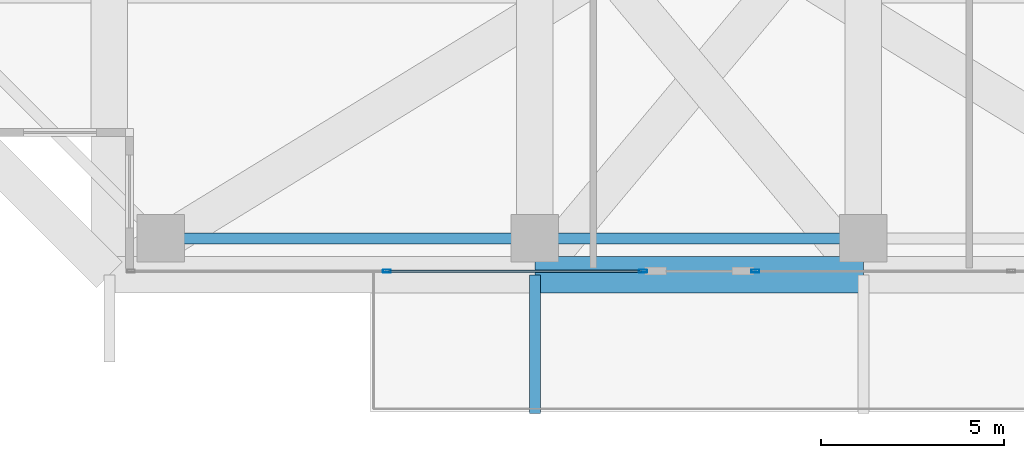
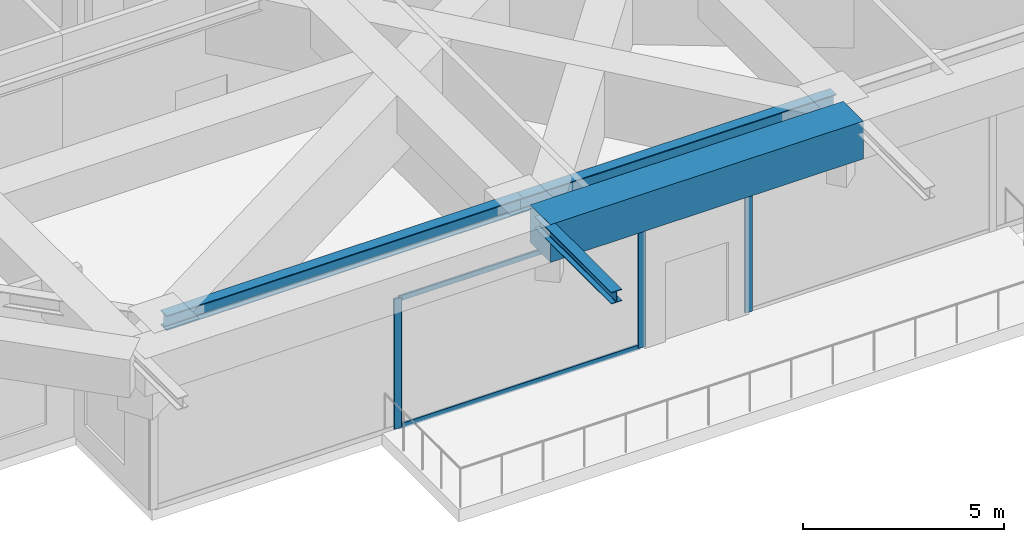
# One storey, part 5 of 38: 5 members, 4 beams, 2 elements without a shape of their own.
"""IFC4 building model written with IfcOpenShell, lengths in metres."""

from ifc_helpers import new_model, si_unit, direction, frame, origin, origin_2d, place, context, subcontext, project, spatial, rectangle, hollow_rectangle, i_section, extrude, source, transform, mapped, material, layer, layer_set, material_profile, profile_set, type_object, element, aggregate, save


model = new_model("IFC4")

# Units and contexts
model_context = context("Model", 3, precision=1e-05, world=origin(), true_north=direction((0.0, 1.0)))
body_context = subcontext(model_context, "Body", "Model", "MODEL_VIEW")
ifc_project = project(units=[si_unit("LENGTHUNIT", "METRE"), si_unit("AREAUNIT", "SQUARE_METRE"), si_unit("VOLUMEUNIT", "CUBIC_METRE"), si_unit("PLANEANGLEUNIT", "RADIAN"), si_unit("MASSUNIT", "GRAM", prefix="KILO")], contexts=[model_context])

# Site, building, storey
site_placement = place(None, origin())
site = spatial("IfcSite", under=ifc_project, at=site_placement, CompositionType="ELEMENT")
building_placement = place(site_placement, origin())
building = spatial("IfcBuilding", under=site, at=building_placement, Name="Serunith Strait Residences", CompositionType="ELEMENT")
storey_placement = place(building_placement, frame((0.0, 0.0, 204.89990234375)))
storey = spatial("IfcBuildingStorey", under=building, at=storey_placement, Name="L51", CompositionType="ELEMENT", Elevation=204.89990234375)

# Beams
ifc_material_1 = material(Name="Steel S355J2", Category="steel")
ifc_material_profile_1 = material_profile(ifc_material_1, i_section(OverallWidth=0.300048828125, OverallDepth=0.449951171875, WebThickness=0.013916015625, FlangeThickness=0.02587890625, FilletRadius=0.027099609375, at=origin_2d()), Name="HEB 450")
ifc_profile_set_1 = profile_set([ifc_material_profile_1], Name="Steel S355J2")
beam_type_1 = type_object("IfcBeamType", Name="BM-HEB450", PredefinedType="BEAM", material=ifc_profile_set_1)
shared_shape_1 = source(origin(), body_context, "Body", "SweptSolid", [
    extrude(i_section(OverallWidth=0.300048828125, OverallDepth=0.449951171875, WebThickness=0.013916015625, FlangeThickness=0.02587890625, FilletRadius=0.027099609375, at=origin_2d()), origin(), (0.0, 0.0, 1.0), 9.0),
])
beam_1_placement = place(storey_placement, frame((27.89990234375, 3.10009765625, 4.882080078125), z_axis=(1.0, 0.0, 0.0), x_axis=(0.0, 1.0, 0.0)))
element("IfcBeam", 1, at=beam_1_placement, inside=storey, type_object=beam_type_1, Name="L51 Perimeter Ring Beam 02", PredefinedType="BEAM", context=body_context, shape_type="MappedRepresentation", body=[
    mapped(shared_shape_1, transform((0.0, 0.0, 0.0), scale=1.0)),
])
ifc_material_2 = material(Name="Concrete C80/95", Category="concrete")
ifc_material_profile_2 = material_profile(ifc_material_2, rectangle(XDim=1.0, YDim=1.14990234375, at=origin_2d()), Name="RC 1000x1150")
ifc_profile_set_2 = profile_set([ifc_material_profile_2], Name="Concrete C80/95")
beam_type_2 = type_object("IfcBeamType", Name="BM-XFER-1000x1150", PredefinedType="BEAM", material=ifc_profile_set_2)
shared_shape_2 = source(origin(), body_context, "Body", "SweptSolid", [
    extrude(rectangle(XDim=1.0, YDim=1.14990234375, at=origin_2d()), origin(), (0.0, 0.0, 1.0), 9.0),
])
beam_2_placement = place(storey_placement, frame((27.89990234375, 2.10009765625, 4.53515625), z_axis=(1.0, 0.0, 0.0), x_axis=(0.0, 1.0, 0.0)))
element("IfcBeam", 2, at=beam_2_placement, inside=storey, type_object=beam_type_2, Name="L51 Flare Upper Ring Transfer Girder 02", PredefinedType="BEAM", context=body_context, shape_type="MappedRepresentation", body=[
    mapped(shared_shape_2, transform((0.0, 0.0, 0.0), scale=1.0)),
])
ifc_material_profile_3 = material_profile(ifc_material_1, i_section(OverallWidth=0.300048828125, OverallDepth=0.360107421875, WebThickness=0.012451171875, FlangeThickness=0.0224609375, FilletRadius=0.027099609375, at=origin_2d()), Name="HEB 360")
ifc_profile_set_3 = profile_set([ifc_material_profile_3], Name="Steel S355J2")
beam_type_3 = type_object("IfcBeamType", Name="BM-HEB360", PredefinedType="BEAM", material=ifc_profile_set_3)
shared_shape_3 = source(origin(), body_context, "Body", "SweptSolid", [
    extrude(i_section(OverallWidth=0.300048828125, OverallDepth=0.360107421875, WebThickness=0.012451171875, FlangeThickness=0.0224609375, FilletRadius=0.027099609375, at=origin_2d()), origin(), (0.0, 0.0, 1.0), 3.800048828125),
])
beam_3_placement = place(storey_placement, frame((27.89990234375, 2.10009765625, 4.927001953125), z_axis=(0.0, -1.0, 0.0), x_axis=(1.0, 0.0, 0.0)))
element("IfcBeam", 3, at=beam_3_placement, inside=storey, type_object=beam_type_3, Name="L52 Cantilevered Balcony Rib TC-S2", PredefinedType="BEAM", context=body_context, shape_type="MappedRepresentation", body=[
    mapped(shared_shape_3, transform((0.0, 0.0, 0.0), scale=1.0)),
])
shared_shape_4 = source(origin(), body_context, "Body", "SweptSolid", [
    extrude(i_section(OverallWidth=0.300048828125, OverallDepth=0.449951171875, WebThickness=0.013916015625, FlangeThickness=0.02587890625, FilletRadius=0.027099609375, at=origin_2d()), origin(), (0.0, 0.0, 1.0), 10.25),
])
beam_4_placement = place(storey_placement, frame((17.64990234375, 3.10009765625, 4.882080078125), z_axis=(1.0, 0.0, 0.0), x_axis=(0.0, 1.0, 0.0)))
element("IfcBeam", 4, at=beam_4_placement, inside=storey, type_object=beam_type_1, Name="L51 Perimeter Ring Beam 01", PredefinedType="BEAM", context=body_context, shape_type="MappedRepresentation", body=[
    mapped(shared_shape_4, transform((0.0, 0.0, 0.0), scale=1.0)),
])

# Curtain wall, members
ifc_material_3 = material(Name="Pale-Silver PVDF Aluminium", Category="aluminium")
ifc_layer = layer(ifc_material_3, 0.199951171875, Name="Pale-Silver PVDF Aluminium")
ifc_layer_set = layer_set([ifc_layer], Name="Pale-Silver PVDF Aluminium")
curtain_wall_type = type_object("IfcCurtainWallType", Name="CW-SYS3", PredefinedType="NOTDEFINED", material=ifc_layer_set)
curtain_wall_1_placement = place(storey_placement, origin())
curtain_wall_1 = element("IfcCurtainWall", 5, at=curtain_wall_1_placement, inside=storey, type_object=curtain_wall_type, Name="L51 S Unitised Fritted Curtain Wall", PredefinedType="NOTDEFINED")
ifc_material_profile_4 = material_profile(ifc_material_3, hollow_rectangle(XDim=0.074951171875, YDim=0.219970703125, WallThickness=0.00390625, InnerFilletRadius=0.006103515625, OuterFilletRadius=0.010009765625, at=origin_2d()), Name="ALU 220x75x4")
ifc_profile_set_4 = profile_set([ifc_material_profile_4], Name="Pale-Silver PVDF Aluminium")
member_type_1 = type_object("IfcMemberType", Name="CW-SYS3-MULL", PredefinedType="MULLION", material=ifc_profile_set_4)
shared_shape_5 = source(origin(), body_context, "Body", "SweptSolid", [
    extrude(hollow_rectangle(XDim=0.074951171875, YDim=0.219970703125, WallThickness=0.00390625, InnerFilletRadius=0.006103515625, OuterFilletRadius=0.010009765625, at=origin_2d()), origin(), (0.0, 0.0, 1.0), 3.945068359375),
])
member_1_placement = place(storey_placement, frame((23.85009765625, 2.199951171875, 0.0), z_axis=(0.0, 0.0, 1.0), x_axis=(0.0, 1.0, 0.0)))
member_1 = element("IfcMember", 6, at=member_1_placement, type_object=member_type_1, Name="CW-3 mullion 2", PredefinedType="MULLION", context=body_context, shape_type="MappedRepresentation", body=[
    mapped(shared_shape_5, transform((0.0, 0.0, 0.0), scale=1.0)),
])
member_2_placement = place(storey_placement, frame((30.862548828125, 2.199951171875, 0.0), z_axis=(0.0, 0.0, 1.0), x_axis=(0.0, 1.0, 0.0)))
member_2 = element("IfcMember", 7, at=member_2_placement, type_object=member_type_1, Name="CW-3 mullion 3", PredefinedType="MULLION", context=body_context, shape_type="MappedRepresentation", body=[
    mapped(shared_shape_5, transform((0.0, 0.0, 0.0), scale=1.0)),
])

# Curtain wall, member
curtain_wall_2_placement = place(storey_placement, origin())
curtain_wall_2 = element("IfcCurtainWall", 8, at=curtain_wall_2_placement, inside=storey, type_object=curtain_wall_type, Name="L51 S Unitised Fritted Curtain Wall", PredefinedType="NOTDEFINED")
member_3_placement = place(storey_placement, frame((33.9375, 2.199951171875, 0.0), z_axis=(0.0, 0.0, 1.0), x_axis=(0.0, 1.0, 0.0)))
member_3 = element("IfcMember", 9, at=member_3_placement, type_object=member_type_1, Name="CW-3 mullion 1", PredefinedType="MULLION", context=body_context, shape_type="MappedRepresentation", body=[
    mapped(shared_shape_5, transform((0.0, 0.0, 0.0), scale=1.0)),
])
aggregate(curtain_wall_2, [member_3])

# Member
ifc_material_profile_5 = material_profile(ifc_material_3, hollow_rectangle(XDim=0.06005859375, YDim=0.159912109375, WallThickness=0.00341796875, InnerFilletRadius=0.00537109375, OuterFilletRadius=0.0087890625, at=origin_2d()), Name="ALU 160x60x3.5")
ifc_profile_set_5 = profile_set([ifc_material_profile_5], Name="Pale-Silver PVDF Aluminium")
member_type_2 = type_object("IfcMemberType", Name="CW-SYS3-TRAN", PredefinedType="USERDEFINED", material=ifc_profile_set_5)
shared_shape_6 = source(origin(), body_context, "Body", "SweptSolid", [
    extrude(hollow_rectangle(XDim=0.06005859375, YDim=0.159912109375, WallThickness=0.00341796875, InnerFilletRadius=0.00537109375, OuterFilletRadius=0.0087890625, at=origin_2d()), origin(), (0.0, 0.0, 1.0), 6.9375),
])
member_4_placement = place(storey_placement, frame((23.887451171875, 2.199951171875, 0.030029296875), z_axis=(1.0, 0.0, 0.0), x_axis=(0.0, 1.0, 0.0)))
member_4 = element("IfcMember", 10, at=member_4_placement, type_object=member_type_2, Name="CW-3 transom 2.1", ObjectType="TRANSOM", PredefinedType="USERDEFINED", context=body_context, shape_type="MappedRepresentation", body=[
    mapped(shared_shape_6, transform((0.0, 0.0, 0.0), scale=1.0)),
])

member_5_placement = place(storey_placement, frame((23.887451171875, 2.199951171875, 3.9150390625), z_axis=(1.0, 0.0, 0.0), x_axis=(0.0, 1.0, 0.0)))
member_5 = element("IfcMember", 11, at=member_5_placement, type_object=member_type_2, Name="CW-3 transom 2.2", ObjectType="TRANSOM", PredefinedType="USERDEFINED", context=body_context, shape_type="MappedRepresentation", body=[
    mapped(shared_shape_6, transform((0.0, 0.0, 0.0), scale=1.0)),
])

aggregate(curtain_wall_1, [member_1, member_2, member_4, member_5])

save(model, "model.ifc")
